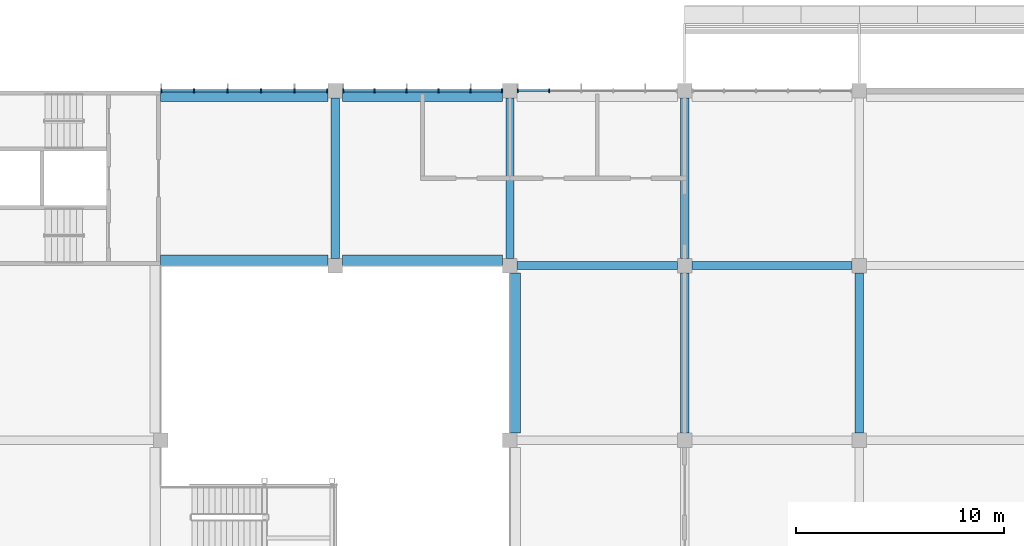
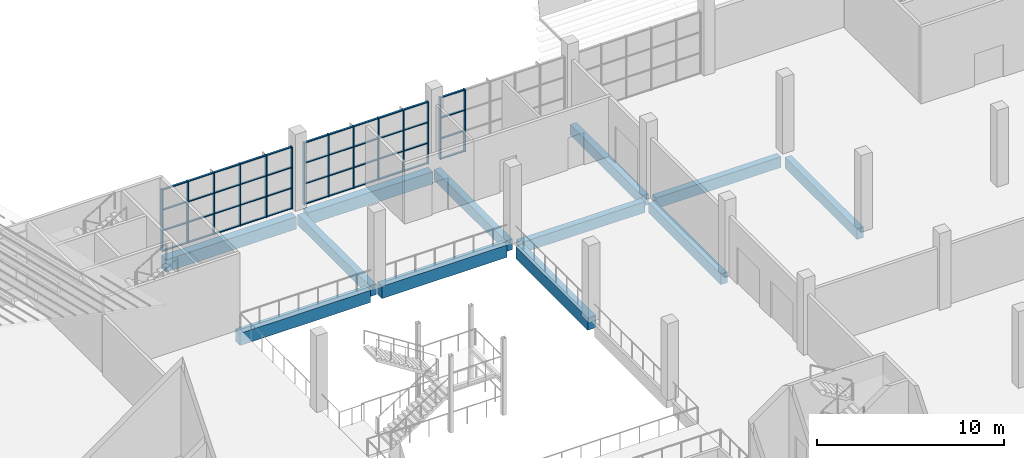
# One storey, part 9 of 82: 58 members, 12 beams, 3 elements without a shape of their own.
"""IFC4 building model written with IfcOpenShell, lengths in metres."""

from ifc_helpers import new_model, si_unit, direction, frame, origin, origin_2d, place, context, subcontext, project, spatial, rectangle, extrude, material, material_profile, profile_set, type_object, element, aggregate, save


model = new_model("IFC4")

# Units and contexts
model_context = context("Model", 3, precision=1e-05, world=origin(), true_north=direction((0.0, 1.0)))
body_context = subcontext(model_context, "Body", "Model", "MODEL_VIEW")
ifc_project = project(units=[si_unit("LENGTHUNIT", "METRE"), si_unit("AREAUNIT", "SQUARE_METRE"), si_unit("VOLUMEUNIT", "CUBIC_METRE"), si_unit("PLANEANGLEUNIT", "RADIAN"), si_unit("MASSUNIT", "GRAM", prefix="KILO")], contexts=[model_context])

# Site, building, storey
site_placement = place(None, origin())
site = spatial("IfcSite", under=ifc_project, at=site_placement, CompositionType="ELEMENT")
building_placement = place(site_placement, origin())
building = spatial("IfcBuilding", under=site, at=building_placement, Name="Almond Square Museum", CompositionType="ELEMENT")
storey_placement = place(building_placement, frame((0.0, 0.0, 20.0)))
storey = spatial("IfcBuildingStorey", under=building, at=storey_placement, Name="L03", CompositionType="ELEMENT", Elevation=20.0)

# Curtain wall, members
ifc_material_1 = material(Name="Aluminium and laminated glass", Category="aluminium")
curtain_wall_type = type_object("IfcCurtainWallType", Name="Unitised curtain wall 1500 module", PredefinedType="NOTDEFINED", material=ifc_material_1)
curtain_wall_1_placement = place(storey_placement, origin())
curtain_wall_1 = element("IfcCurtainWall", 1, at=curtain_wall_1_placement, inside=storey, type_object=curtain_wall_type, Name="Curtain wall CW-32", PredefinedType="NOTDEFINED")
ifc_material_2 = material(Name="Anodised aluminium", Category="aluminium")
ifc_material_profile_1 = material_profile(ifc_material_2, rectangle(XDim=0.199951171875, YDim=0.06005859375, at=origin_2d()))
ifc_profile_set_1 = profile_set([ifc_material_profile_1], Name="Anodised aluminium")
member_type_1 = type_object("IfcMemberType", Name="Aluminium mullion 60 x 200", PredefinedType="MULLION", material=ifc_profile_set_1)
member_1_placement = place(storey_placement, frame((98.780029296875, 109.199951171875, 0.0), z_axis=(0.0, 0.0, 1.0), x_axis=(0.0, 1.0, 0.0)))
member_1 = element("IfcMember", 2, at=member_1_placement, type_object=member_type_1, Name="CW-32 mullion 1", PredefinedType="MULLION", context=body_context, shape_type="SweptSolid", body=[
    extrude(rectangle(XDim=0.199951171875, YDim=0.06005859375, at=origin_2d()), origin(), (0.0, 0.0, 1.0), 4.050048828125),
])
member_2_placement = place(storey_placement, frame((100.2900390625, 109.199951171875, 0.0), z_axis=(0.0, 0.0, 1.0), x_axis=(0.0, 1.0, 0.0)))
member_2 = element("IfcMember", 3, at=member_2_placement, type_object=member_type_1, Name="CW-32 mullion 2", PredefinedType="MULLION", context=body_context, shape_type="SweptSolid", body=[
    extrude(rectangle(XDim=0.199951171875, YDim=0.06005859375, at=origin_2d()), origin(), (0.0, 0.0, 1.0), 4.050048828125),
])

curtain_wall_2_placement = place(storey_placement, origin())
curtain_wall_2 = element("IfcCurtainWall", 4, at=curtain_wall_2_placement, inside=storey, type_object=curtain_wall_type, Name="Curtain wall CW-33", PredefinedType="NOTDEFINED")
member_3_placement = place(storey_placement, frame((90.3798828125, 109.199951171875, 0.0), z_axis=(0.0, 0.0, 1.0), x_axis=(0.0, 1.0, 0.0)))
member_3 = element("IfcMember", 5, at=member_3_placement, type_object=member_type_1, Name="CW-33 mullion 1", PredefinedType="MULLION", context=body_context, shape_type="SweptSolid", body=[
    extrude(rectangle(XDim=0.199951171875, YDim=0.06005859375, at=origin_2d()), origin(), (0.0, 0.0, 1.0), 4.050048828125),
])
member_4_placement = place(storey_placement, frame((91.889892578125, 109.199951171875, 0.0), z_axis=(0.0, 0.0, 1.0), x_axis=(0.0, 1.0, 0.0)))
member_4 = element("IfcMember", 6, at=member_4_placement, type_object=member_type_1, Name="CW-33 mullion 2", PredefinedType="MULLION", context=body_context, shape_type="SweptSolid", body=[
    extrude(rectangle(XDim=0.199951171875, YDim=0.06005859375, at=origin_2d()), origin(), (0.0, 0.0, 1.0), 4.050048828125),
])
member_5_placement = place(storey_placement, frame((93.429931640625, 109.199951171875, 0.0), z_axis=(0.0, 0.0, 1.0), x_axis=(0.0, 1.0, 0.0)))
member_5 = element("IfcMember", 7, at=member_5_placement, type_object=member_type_1, Name="CW-33 mullion 3", PredefinedType="MULLION", context=body_context, shape_type="SweptSolid", body=[
    extrude(rectangle(XDim=0.199951171875, YDim=0.06005859375, at=origin_2d()), origin(), (0.0, 0.0, 1.0), 4.050048828125),
])
member_6_placement = place(storey_placement, frame((94.969970703125, 109.199951171875, 0.0), z_axis=(0.0, 0.0, 1.0), x_axis=(0.0, 1.0, 0.0)))
member_6 = element("IfcMember", 8, at=member_6_placement, type_object=member_type_1, Name="CW-33 mullion 4", PredefinedType="MULLION", context=body_context, shape_type="SweptSolid", body=[
    extrude(rectangle(XDim=0.199951171875, YDim=0.06005859375, at=origin_2d()), origin(), (0.0, 0.0, 1.0), 4.050048828125),
])
member_7_placement = place(storey_placement, frame((96.510009765625, 109.199951171875, 0.0), z_axis=(0.0, 0.0, 1.0), x_axis=(0.0, 1.0, 0.0)))
member_7 = element("IfcMember", 9, at=member_7_placement, type_object=member_type_1, Name="CW-33 mullion 5", PredefinedType="MULLION", context=body_context, shape_type="SweptSolid", body=[
    extrude(rectangle(XDim=0.199951171875, YDim=0.06005859375, at=origin_2d()), origin(), (0.0, 0.0, 1.0), 4.050048828125),
])
member_8_placement = place(storey_placement, frame((98.02001953125, 109.199951171875, 0.0), z_axis=(0.0, 0.0, 1.0), x_axis=(0.0, 1.0, 0.0)))
member_8 = element("IfcMember", 10, at=member_8_placement, type_object=member_type_1, Name="CW-33 mullion 6", PredefinedType="MULLION", context=body_context, shape_type="SweptSolid", body=[
    extrude(rectangle(XDim=0.199951171875, YDim=0.06005859375, at=origin_2d()), origin(), (0.0, 0.0, 1.0), 4.050048828125),
])

curtain_wall_3_placement = place(storey_placement, origin())
curtain_wall_3 = element("IfcCurtainWall", 11, at=curtain_wall_3_placement, inside=storey, type_object=curtain_wall_type, Name="Curtain wall CW-34", PredefinedType="NOTDEFINED")
member_9_placement = place(storey_placement, frame((81.6298828125, 109.199951171875, 0.0), z_axis=(0.0, 0.0, 1.0), x_axis=(0.0, 1.0, 0.0)))
member_9 = element("IfcMember", 12, at=member_9_placement, type_object=member_type_1, Name="CW-34 mullion 1", PredefinedType="MULLION", context=body_context, shape_type="SweptSolid", body=[
    extrude(rectangle(XDim=0.199951171875, YDim=0.06005859375, at=origin_2d()), origin(), (0.0, 0.0, 1.0), 4.050048828125),
])
member_10_placement = place(storey_placement, frame((83.2099609375, 109.199951171875, 0.0), z_axis=(0.0, 0.0, 1.0), x_axis=(0.0, 1.0, 0.0)))
member_10 = element("IfcMember", 13, at=member_10_placement, type_object=member_type_1, Name="CW-34 mullion 2", PredefinedType="MULLION", context=body_context, shape_type="SweptSolid", body=[
    extrude(rectangle(XDim=0.199951171875, YDim=0.06005859375, at=origin_2d()), origin(), (0.0, 0.0, 1.0), 4.050048828125),
])
member_11_placement = place(storey_placement, frame((84.820068359375, 109.199951171875, 0.0), z_axis=(0.0, 0.0, 1.0), x_axis=(0.0, 1.0, 0.0)))
member_11 = element("IfcMember", 14, at=member_11_placement, type_object=member_type_1, Name="CW-34 mullion 3", PredefinedType="MULLION", context=body_context, shape_type="SweptSolid", body=[
    extrude(rectangle(XDim=0.199951171875, YDim=0.06005859375, at=origin_2d()), origin(), (0.0, 0.0, 1.0), 4.050048828125),
])
member_12_placement = place(storey_placement, frame((86.429931640625, 109.199951171875, 0.0), z_axis=(0.0, 0.0, 1.0), x_axis=(0.0, 1.0, 0.0)))
member_12 = element("IfcMember", 15, at=member_12_placement, type_object=member_type_1, Name="CW-34 mullion 4", PredefinedType="MULLION", context=body_context, shape_type="SweptSolid", body=[
    extrude(rectangle(XDim=0.199951171875, YDim=0.06005859375, at=origin_2d()), origin(), (0.0, 0.0, 1.0), 4.050048828125),
])
member_13_placement = place(storey_placement, frame((88.0400390625, 109.199951171875, 0.0), z_axis=(0.0, 0.0, 1.0), x_axis=(0.0, 1.0, 0.0)))
member_13 = element("IfcMember", 16, at=member_13_placement, type_object=member_type_1, Name="CW-34 mullion 5", PredefinedType="MULLION", context=body_context, shape_type="SweptSolid", body=[
    extrude(rectangle(XDim=0.199951171875, YDim=0.06005859375, at=origin_2d()), origin(), (0.0, 0.0, 1.0), 4.050048828125),
])
member_14_placement = place(storey_placement, frame((89.6201171875, 109.199951171875, 0.0), z_axis=(0.0, 0.0, 1.0), x_axis=(0.0, 1.0, 0.0)))
member_14 = element("IfcMember", 17, at=member_14_placement, type_object=member_type_1, Name="CW-34 mullion 6", PredefinedType="MULLION", context=body_context, shape_type="SweptSolid", body=[
    extrude(rectangle(XDim=0.199951171875, YDim=0.06005859375, at=origin_2d()), origin(), (0.0, 0.0, 1.0), 4.050048828125),
])

# Member
ifc_material_3 = material(Name="Anodised aluminium", Category="aluminium")
ifc_material_profile_2 = material_profile(ifc_material_3, rectangle(XDim=0.1201171875, YDim=0.06005859375, at=origin_2d()))
ifc_profile_set_2 = profile_set([ifc_material_profile_2], Name="Anodised aluminium")
member_type_2 = type_object("IfcMemberType", Name="Aluminium transom 60 x 120", PredefinedType="USERDEFINED", material=ifc_profile_set_2)
member_15_placement = place(storey_placement, frame((98.81005859375, 109.199951171875, 0.030029296875), z_axis=(1.0, 0.0, 0.0), x_axis=(0.0, 1.0, 0.0)))
member_15 = element("IfcMember", 18, at=member_15_placement, type_object=member_type_2, Name="CW-32 transom 1.1", ObjectType="TRANSOM", PredefinedType="USERDEFINED", context=body_context, shape_type="SweptSolid", body=[
    extrude(rectangle(XDim=0.1201171875, YDim=0.06005859375, at=origin_2d()), origin(), (0.0, 0.0, 1.0), 1.449951171875),
])

member_16_placement = place(storey_placement, frame((98.81005859375, 109.199951171875, 1.35009765625), z_axis=(1.0, 0.0, 0.0), x_axis=(0.0, 1.0, 0.0)))
member_16 = element("IfcMember", 19, at=member_16_placement, type_object=member_type_2, Name="CW-32 transom 1.2", ObjectType="TRANSOM", PredefinedType="USERDEFINED", context=body_context, shape_type="SweptSolid", body=[
    extrude(rectangle(XDim=0.1201171875, YDim=0.06005859375, at=origin_2d()), origin(), (0.0, 0.0, 1.0), 1.449951171875),
])

member_17_placement = place(storey_placement, frame((98.81005859375, 109.199951171875, 2.699951171875), z_axis=(1.0, 0.0, 0.0), x_axis=(0.0, 1.0, 0.0)))
member_17 = element("IfcMember", 20, at=member_17_placement, type_object=member_type_2, Name="CW-32 transom 1.3", ObjectType="TRANSOM", PredefinedType="USERDEFINED", context=body_context, shape_type="SweptSolid", body=[
    extrude(rectangle(XDim=0.1201171875, YDim=0.06005859375, at=origin_2d()), origin(), (0.0, 0.0, 1.0), 1.449951171875),
])

member_18_placement = place(storey_placement, frame((98.81005859375, 109.199951171875, 4.02001953125), z_axis=(1.0, 0.0, 0.0), x_axis=(0.0, 1.0, 0.0)))
member_18 = element("IfcMember", 21, at=member_18_placement, type_object=member_type_2, Name="CW-32 transom 1.4", ObjectType="TRANSOM", PredefinedType="USERDEFINED", context=body_context, shape_type="SweptSolid", body=[
    extrude(rectangle(XDim=0.1201171875, YDim=0.06005859375, at=origin_2d()), origin(), (0.0, 0.0, 1.0), 1.449951171875),
])

aggregate(curtain_wall_1, [member_1, member_2, member_15, member_16, member_17, member_18])

member_19_placement = place(storey_placement, frame((90.409912109375, 109.199951171875, 0.030029296875), z_axis=(1.0, 0.0, 0.0), x_axis=(0.0, 1.0, 0.0)))
member_19 = element("IfcMember", 22, at=member_19_placement, type_object=member_type_2, Name="CW-33 transom 1.1", ObjectType="TRANSOM", PredefinedType="USERDEFINED", context=body_context, shape_type="SweptSolid", body=[
    extrude(rectangle(XDim=0.1201171875, YDim=0.06005859375, at=origin_2d()), origin(), (0.0, 0.0, 1.0), 1.4501953125),
])

member_20_placement = place(storey_placement, frame((90.409912109375, 109.199951171875, 1.35009765625), z_axis=(1.0, 0.0, 0.0), x_axis=(0.0, 1.0, 0.0)))
member_20 = element("IfcMember", 23, at=member_20_placement, type_object=member_type_2, Name="CW-33 transom 1.2", ObjectType="TRANSOM", PredefinedType="USERDEFINED", context=body_context, shape_type="SweptSolid", body=[
    extrude(rectangle(XDim=0.1201171875, YDim=0.06005859375, at=origin_2d()), origin(), (0.0, 0.0, 1.0), 1.4501953125),
])

member_21_placement = place(storey_placement, frame((90.409912109375, 109.199951171875, 2.699951171875), z_axis=(1.0, 0.0, 0.0), x_axis=(0.0, 1.0, 0.0)))
member_21 = element("IfcMember", 24, at=member_21_placement, type_object=member_type_2, Name="CW-33 transom 1.3", ObjectType="TRANSOM", PredefinedType="USERDEFINED", context=body_context, shape_type="SweptSolid", body=[
    extrude(rectangle(XDim=0.1201171875, YDim=0.06005859375, at=origin_2d()), origin(), (0.0, 0.0, 1.0), 1.4501953125),
])

member_22_placement = place(storey_placement, frame((90.409912109375, 109.199951171875, 4.02001953125), z_axis=(1.0, 0.0, 0.0), x_axis=(0.0, 1.0, 0.0)))
member_22 = element("IfcMember", 25, at=member_22_placement, type_object=member_type_2, Name="CW-33 transom 1.4", ObjectType="TRANSOM", PredefinedType="USERDEFINED", context=body_context, shape_type="SweptSolid", body=[
    extrude(rectangle(XDim=0.1201171875, YDim=0.06005859375, at=origin_2d()), origin(), (0.0, 0.0, 1.0), 1.4501953125),
])

member_23_placement = place(storey_placement, frame((91.919921875, 109.199951171875, 0.030029296875), z_axis=(1.0, 0.0, 0.0), x_axis=(0.0, 1.0, 0.0)))
member_23 = element("IfcMember", 26, at=member_23_placement, type_object=member_type_2, Name="CW-33 transom 2.1", ObjectType="TRANSOM", PredefinedType="USERDEFINED", context=body_context, shape_type="SweptSolid", body=[
    extrude(rectangle(XDim=0.1201171875, YDim=0.06005859375, at=origin_2d()), origin(), (0.0, 0.0, 1.0), 1.47998046875),
])

member_24_placement = place(storey_placement, frame((91.919921875, 109.199951171875, 1.35009765625), z_axis=(1.0, 0.0, 0.0), x_axis=(0.0, 1.0, 0.0)))
member_24 = element("IfcMember", 27, at=member_24_placement, type_object=member_type_2, Name="CW-33 transom 2.2", ObjectType="TRANSOM", PredefinedType="USERDEFINED", context=body_context, shape_type="SweptSolid", body=[
    extrude(rectangle(XDim=0.1201171875, YDim=0.06005859375, at=origin_2d()), origin(), (0.0, 0.0, 1.0), 1.47998046875),
])

member_25_placement = place(storey_placement, frame((91.919921875, 109.199951171875, 2.699951171875), z_axis=(1.0, 0.0, 0.0), x_axis=(0.0, 1.0, 0.0)))
member_25 = element("IfcMember", 28, at=member_25_placement, type_object=member_type_2, Name="CW-33 transom 2.3", ObjectType="TRANSOM", PredefinedType="USERDEFINED", context=body_context, shape_type="SweptSolid", body=[
    extrude(rectangle(XDim=0.1201171875, YDim=0.06005859375, at=origin_2d()), origin(), (0.0, 0.0, 1.0), 1.47998046875),
])

member_26_placement = place(storey_placement, frame((91.919921875, 109.199951171875, 4.02001953125), z_axis=(1.0, 0.0, 0.0), x_axis=(0.0, 1.0, 0.0)))
member_26 = element("IfcMember", 29, at=member_26_placement, type_object=member_type_2, Name="CW-33 transom 2.4", ObjectType="TRANSOM", PredefinedType="USERDEFINED", context=body_context, shape_type="SweptSolid", body=[
    extrude(rectangle(XDim=0.1201171875, YDim=0.06005859375, at=origin_2d()), origin(), (0.0, 0.0, 1.0), 1.47998046875),
])

member_27_placement = place(storey_placement, frame((93.4599609375, 109.199951171875, 0.030029296875), z_axis=(1.0, 0.0, 0.0), x_axis=(0.0, 1.0, 0.0)))
member_27 = element("IfcMember", 30, at=member_27_placement, type_object=member_type_2, Name="CW-33 transom 3.1", ObjectType="TRANSOM", PredefinedType="USERDEFINED", context=body_context, shape_type="SweptSolid", body=[
    extrude(rectangle(XDim=0.1201171875, YDim=0.06005859375, at=origin_2d()), origin(), (0.0, 0.0, 1.0), 1.47998046875),
])

member_28_placement = place(storey_placement, frame((93.4599609375, 109.199951171875, 1.35009765625), z_axis=(1.0, 0.0, 0.0), x_axis=(0.0, 1.0, 0.0)))
member_28 = element("IfcMember", 31, at=member_28_placement, type_object=member_type_2, Name="CW-33 transom 3.2", ObjectType="TRANSOM", PredefinedType="USERDEFINED", context=body_context, shape_type="SweptSolid", body=[
    extrude(rectangle(XDim=0.1201171875, YDim=0.06005859375, at=origin_2d()), origin(), (0.0, 0.0, 1.0), 1.47998046875),
])

member_29_placement = place(storey_placement, frame((93.4599609375, 109.199951171875, 2.699951171875), z_axis=(1.0, 0.0, 0.0), x_axis=(0.0, 1.0, 0.0)))
member_29 = element("IfcMember", 32, at=member_29_placement, type_object=member_type_2, Name="CW-33 transom 3.3", ObjectType="TRANSOM", PredefinedType="USERDEFINED", context=body_context, shape_type="SweptSolid", body=[
    extrude(rectangle(XDim=0.1201171875, YDim=0.06005859375, at=origin_2d()), origin(), (0.0, 0.0, 1.0), 1.47998046875),
])

member_30_placement = place(storey_placement, frame((93.4599609375, 109.199951171875, 4.02001953125), z_axis=(1.0, 0.0, 0.0), x_axis=(0.0, 1.0, 0.0)))
member_30 = element("IfcMember", 33, at=member_30_placement, type_object=member_type_2, Name="CW-33 transom 3.4", ObjectType="TRANSOM", PredefinedType="USERDEFINED", context=body_context, shape_type="SweptSolid", body=[
    extrude(rectangle(XDim=0.1201171875, YDim=0.06005859375, at=origin_2d()), origin(), (0.0, 0.0, 1.0), 1.47998046875),
])

member_31_placement = place(storey_placement, frame((95.0, 109.199951171875, 0.030029296875), z_axis=(1.0, 0.0, 0.0), x_axis=(0.0, 1.0, 0.0)))
member_31 = element("IfcMember", 34, at=member_31_placement, type_object=member_type_2, Name="CW-33 transom 4.1", ObjectType="TRANSOM", PredefinedType="USERDEFINED", context=body_context, shape_type="SweptSolid", body=[
    extrude(rectangle(XDim=0.1201171875, YDim=0.06005859375, at=origin_2d()), origin(), (0.0, 0.0, 1.0), 1.47998046875),
])

member_32_placement = place(storey_placement, frame((95.0, 109.199951171875, 1.35009765625), z_axis=(1.0, 0.0, 0.0), x_axis=(0.0, 1.0, 0.0)))
member_32 = element("IfcMember", 35, at=member_32_placement, type_object=member_type_2, Name="CW-33 transom 4.2", ObjectType="TRANSOM", PredefinedType="USERDEFINED", context=body_context, shape_type="SweptSolid", body=[
    extrude(rectangle(XDim=0.1201171875, YDim=0.06005859375, at=origin_2d()), origin(), (0.0, 0.0, 1.0), 1.47998046875),
])

member_33_placement = place(storey_placement, frame((95.0, 109.199951171875, 2.699951171875), z_axis=(1.0, 0.0, 0.0), x_axis=(0.0, 1.0, 0.0)))
member_33 = element("IfcMember", 36, at=member_33_placement, type_object=member_type_2, Name="CW-33 transom 4.3", ObjectType="TRANSOM", PredefinedType="USERDEFINED", context=body_context, shape_type="SweptSolid", body=[
    extrude(rectangle(XDim=0.1201171875, YDim=0.06005859375, at=origin_2d()), origin(), (0.0, 0.0, 1.0), 1.47998046875),
])

member_34_placement = place(storey_placement, frame((95.0, 109.199951171875, 4.02001953125), z_axis=(1.0, 0.0, 0.0), x_axis=(0.0, 1.0, 0.0)))
member_34 = element("IfcMember", 37, at=member_34_placement, type_object=member_type_2, Name="CW-33 transom 4.4", ObjectType="TRANSOM", PredefinedType="USERDEFINED", context=body_context, shape_type="SweptSolid", body=[
    extrude(rectangle(XDim=0.1201171875, YDim=0.06005859375, at=origin_2d()), origin(), (0.0, 0.0, 1.0), 1.47998046875),
])

member_35_placement = place(storey_placement, frame((96.5400390625, 109.199951171875, 0.030029296875), z_axis=(1.0, 0.0, 0.0), x_axis=(0.0, 1.0, 0.0)))
member_35 = element("IfcMember", 38, at=member_35_placement, type_object=member_type_2, Name="CW-33 transom 5.1", ObjectType="TRANSOM", PredefinedType="USERDEFINED", context=body_context, shape_type="SweptSolid", body=[
    extrude(rectangle(XDim=0.1201171875, YDim=0.06005859375, at=origin_2d()), origin(), (0.0, 0.0, 1.0), 1.449951171875),
])

member_36_placement = place(storey_placement, frame((96.5400390625, 109.199951171875, 1.35009765625), z_axis=(1.0, 0.0, 0.0), x_axis=(0.0, 1.0, 0.0)))
member_36 = element("IfcMember", 39, at=member_36_placement, type_object=member_type_2, Name="CW-33 transom 5.2", ObjectType="TRANSOM", PredefinedType="USERDEFINED", context=body_context, shape_type="SweptSolid", body=[
    extrude(rectangle(XDim=0.1201171875, YDim=0.06005859375, at=origin_2d()), origin(), (0.0, 0.0, 1.0), 1.449951171875),
])

member_37_placement = place(storey_placement, frame((96.5400390625, 109.199951171875, 2.699951171875), z_axis=(1.0, 0.0, 0.0), x_axis=(0.0, 1.0, 0.0)))
member_37 = element("IfcMember", 40, at=member_37_placement, type_object=member_type_2, Name="CW-33 transom 5.3", ObjectType="TRANSOM", PredefinedType="USERDEFINED", context=body_context, shape_type="SweptSolid", body=[
    extrude(rectangle(XDim=0.1201171875, YDim=0.06005859375, at=origin_2d()), origin(), (0.0, 0.0, 1.0), 1.449951171875),
])

member_38_placement = place(storey_placement, frame((96.5400390625, 109.199951171875, 4.02001953125), z_axis=(1.0, 0.0, 0.0), x_axis=(0.0, 1.0, 0.0)))
member_38 = element("IfcMember", 41, at=member_38_placement, type_object=member_type_2, Name="CW-33 transom 5.4", ObjectType="TRANSOM", PredefinedType="USERDEFINED", context=body_context, shape_type="SweptSolid", body=[
    extrude(rectangle(XDim=0.1201171875, YDim=0.06005859375, at=origin_2d()), origin(), (0.0, 0.0, 1.0), 1.449951171875),
])

aggregate(curtain_wall_2, [member_3, member_4, member_5, member_6, member_7, member_8, member_19, member_20, member_21, member_22, member_23, member_24, member_25, member_26, member_27, member_28, member_29, member_30, member_31, member_32, member_33, member_34, member_35, member_36, member_37, member_38])

member_39_placement = place(storey_placement, frame((81.659912109375, 109.199951171875, 0.030029296875), z_axis=(1.0, 0.0, 0.0), x_axis=(0.0, 1.0, 0.0)))
member_39 = element("IfcMember", 42, at=member_39_placement, type_object=member_type_2, Name="CW-34 transom 1.1", ObjectType="TRANSOM", PredefinedType="USERDEFINED", context=body_context, shape_type="SweptSolid", body=[
    extrude(rectangle(XDim=0.1201171875, YDim=0.06005859375, at=origin_2d()), origin(), (0.0, 0.0, 1.0), 1.52001953125),
])

member_40_placement = place(storey_placement, frame((81.659912109375, 109.199951171875, 1.35009765625), z_axis=(1.0, 0.0, 0.0), x_axis=(0.0, 1.0, 0.0)))
member_40 = element("IfcMember", 43, at=member_40_placement, type_object=member_type_2, Name="CW-34 transom 1.2", ObjectType="TRANSOM", PredefinedType="USERDEFINED", context=body_context, shape_type="SweptSolid", body=[
    extrude(rectangle(XDim=0.1201171875, YDim=0.06005859375, at=origin_2d()), origin(), (0.0, 0.0, 1.0), 1.52001953125),
])

member_41_placement = place(storey_placement, frame((81.659912109375, 109.199951171875, 2.699951171875), z_axis=(1.0, 0.0, 0.0), x_axis=(0.0, 1.0, 0.0)))
member_41 = element("IfcMember", 44, at=member_41_placement, type_object=member_type_2, Name="CW-34 transom 1.3", ObjectType="TRANSOM", PredefinedType="USERDEFINED", context=body_context, shape_type="SweptSolid", body=[
    extrude(rectangle(XDim=0.1201171875, YDim=0.06005859375, at=origin_2d()), origin(), (0.0, 0.0, 1.0), 1.52001953125),
])

member_42_placement = place(storey_placement, frame((81.659912109375, 109.199951171875, 4.02001953125), z_axis=(1.0, 0.0, 0.0), x_axis=(0.0, 1.0, 0.0)))
member_42 = element("IfcMember", 45, at=member_42_placement, type_object=member_type_2, Name="CW-34 transom 1.4", ObjectType="TRANSOM", PredefinedType="USERDEFINED", context=body_context, shape_type="SweptSolid", body=[
    extrude(rectangle(XDim=0.1201171875, YDim=0.06005859375, at=origin_2d()), origin(), (0.0, 0.0, 1.0), 1.52001953125),
])

member_43_placement = place(storey_placement, frame((83.239990234375, 109.199951171875, 0.030029296875), z_axis=(1.0, 0.0, 0.0), x_axis=(0.0, 1.0, 0.0)))
member_43 = element("IfcMember", 46, at=member_43_placement, type_object=member_type_2, Name="CW-34 transom 2.1", ObjectType="TRANSOM", PredefinedType="USERDEFINED", context=body_context, shape_type="SweptSolid", body=[
    extrude(rectangle(XDim=0.1201171875, YDim=0.06005859375, at=origin_2d()), origin(), (0.0, 0.0, 1.0), 1.550048828125),
])

member_44_placement = place(storey_placement, frame((83.239990234375, 109.199951171875, 1.35009765625), z_axis=(1.0, 0.0, 0.0), x_axis=(0.0, 1.0, 0.0)))
member_44 = element("IfcMember", 47, at=member_44_placement, type_object=member_type_2, Name="CW-34 transom 2.2", ObjectType="TRANSOM", PredefinedType="USERDEFINED", context=body_context, shape_type="SweptSolid", body=[
    extrude(rectangle(XDim=0.1201171875, YDim=0.06005859375, at=origin_2d()), origin(), (0.0, 0.0, 1.0), 1.550048828125),
])

member_45_placement = place(storey_placement, frame((83.239990234375, 109.199951171875, 2.699951171875), z_axis=(1.0, 0.0, 0.0), x_axis=(0.0, 1.0, 0.0)))
member_45 = element("IfcMember", 48, at=member_45_placement, type_object=member_type_2, Name="CW-34 transom 2.3", ObjectType="TRANSOM", PredefinedType="USERDEFINED", context=body_context, shape_type="SweptSolid", body=[
    extrude(rectangle(XDim=0.1201171875, YDim=0.06005859375, at=origin_2d()), origin(), (0.0, 0.0, 1.0), 1.550048828125),
])

member_46_placement = place(storey_placement, frame((83.239990234375, 109.199951171875, 4.02001953125), z_axis=(1.0, 0.0, 0.0), x_axis=(0.0, 1.0, 0.0)))
member_46 = element("IfcMember", 49, at=member_46_placement, type_object=member_type_2, Name="CW-34 transom 2.4", ObjectType="TRANSOM", PredefinedType="USERDEFINED", context=body_context, shape_type="SweptSolid", body=[
    extrude(rectangle(XDim=0.1201171875, YDim=0.06005859375, at=origin_2d()), origin(), (0.0, 0.0, 1.0), 1.550048828125),
])

member_47_placement = place(storey_placement, frame((84.85009765625, 109.199951171875, 0.030029296875), z_axis=(1.0, 0.0, 0.0), x_axis=(0.0, 1.0, 0.0)))
member_47 = element("IfcMember", 50, at=member_47_placement, type_object=member_type_2, Name="CW-34 transom 3.1", ObjectType="TRANSOM", PredefinedType="USERDEFINED", context=body_context, shape_type="SweptSolid", body=[
    extrude(rectangle(XDim=0.1201171875, YDim=0.06005859375, at=origin_2d()), origin(), (0.0, 0.0, 1.0), 1.5498046875),
])

member_48_placement = place(storey_placement, frame((84.85009765625, 109.199951171875, 1.35009765625), z_axis=(1.0, 0.0, 0.0), x_axis=(0.0, 1.0, 0.0)))
member_48 = element("IfcMember", 51, at=member_48_placement, type_object=member_type_2, Name="CW-34 transom 3.2", ObjectType="TRANSOM", PredefinedType="USERDEFINED", context=body_context, shape_type="SweptSolid", body=[
    extrude(rectangle(XDim=0.1201171875, YDim=0.06005859375, at=origin_2d()), origin(), (0.0, 0.0, 1.0), 1.5498046875),
])

member_49_placement = place(storey_placement, frame((84.85009765625, 109.199951171875, 2.699951171875), z_axis=(1.0, 0.0, 0.0), x_axis=(0.0, 1.0, 0.0)))
member_49 = element("IfcMember", 52, at=member_49_placement, type_object=member_type_2, Name="CW-34 transom 3.3", ObjectType="TRANSOM", PredefinedType="USERDEFINED", context=body_context, shape_type="SweptSolid", body=[
    extrude(rectangle(XDim=0.1201171875, YDim=0.06005859375, at=origin_2d()), origin(), (0.0, 0.0, 1.0), 1.5498046875),
])

member_50_placement = place(storey_placement, frame((84.85009765625, 109.199951171875, 4.02001953125), z_axis=(1.0, 0.0, 0.0), x_axis=(0.0, 1.0, 0.0)))
member_50 = element("IfcMember", 53, at=member_50_placement, type_object=member_type_2, Name="CW-34 transom 3.4", ObjectType="TRANSOM", PredefinedType="USERDEFINED", context=body_context, shape_type="SweptSolid", body=[
    extrude(rectangle(XDim=0.1201171875, YDim=0.06005859375, at=origin_2d()), origin(), (0.0, 0.0, 1.0), 1.5498046875),
])

member_51_placement = place(storey_placement, frame((86.4599609375, 109.199951171875, 0.030029296875), z_axis=(1.0, 0.0, 0.0), x_axis=(0.0, 1.0, 0.0)))
member_51 = element("IfcMember", 54, at=member_51_placement, type_object=member_type_2, Name="CW-34 transom 4.1", ObjectType="TRANSOM", PredefinedType="USERDEFINED", context=body_context, shape_type="SweptSolid", body=[
    extrude(rectangle(XDim=0.1201171875, YDim=0.06005859375, at=origin_2d()), origin(), (0.0, 0.0, 1.0), 1.550048828125),
])

member_52_placement = place(storey_placement, frame((86.4599609375, 109.199951171875, 1.35009765625), z_axis=(1.0, 0.0, 0.0), x_axis=(0.0, 1.0, 0.0)))
member_52 = element("IfcMember", 55, at=member_52_placement, type_object=member_type_2, Name="CW-34 transom 4.2", ObjectType="TRANSOM", PredefinedType="USERDEFINED", context=body_context, shape_type="SweptSolid", body=[
    extrude(rectangle(XDim=0.1201171875, YDim=0.06005859375, at=origin_2d()), origin(), (0.0, 0.0, 1.0), 1.550048828125),
])

member_53_placement = place(storey_placement, frame((86.4599609375, 109.199951171875, 2.699951171875), z_axis=(1.0, 0.0, 0.0), x_axis=(0.0, 1.0, 0.0)))
member_53 = element("IfcMember", 56, at=member_53_placement, type_object=member_type_2, Name="CW-34 transom 4.3", ObjectType="TRANSOM", PredefinedType="USERDEFINED", context=body_context, shape_type="SweptSolid", body=[
    extrude(rectangle(XDim=0.1201171875, YDim=0.06005859375, at=origin_2d()), origin(), (0.0, 0.0, 1.0), 1.550048828125),
])

member_54_placement = place(storey_placement, frame((86.4599609375, 109.199951171875, 4.02001953125), z_axis=(1.0, 0.0, 0.0), x_axis=(0.0, 1.0, 0.0)))
member_54 = element("IfcMember", 57, at=member_54_placement, type_object=member_type_2, Name="CW-34 transom 4.4", ObjectType="TRANSOM", PredefinedType="USERDEFINED", context=body_context, shape_type="SweptSolid", body=[
    extrude(rectangle(XDim=0.1201171875, YDim=0.06005859375, at=origin_2d()), origin(), (0.0, 0.0, 1.0), 1.550048828125),
])

member_55_placement = place(storey_placement, frame((88.070068359375, 109.199951171875, 0.030029296875), z_axis=(1.0, 0.0, 0.0), x_axis=(0.0, 1.0, 0.0)))
member_55 = element("IfcMember", 58, at=member_55_placement, type_object=member_type_2, Name="CW-34 transom 5.1", ObjectType="TRANSOM", PredefinedType="USERDEFINED", context=body_context, shape_type="SweptSolid", body=[
    extrude(rectangle(XDim=0.1201171875, YDim=0.06005859375, at=origin_2d()), origin(), (0.0, 0.0, 1.0), 1.52001953125),
])

member_56_placement = place(storey_placement, frame((88.070068359375, 109.199951171875, 1.35009765625), z_axis=(1.0, 0.0, 0.0), x_axis=(0.0, 1.0, 0.0)))
member_56 = element("IfcMember", 59, at=member_56_placement, type_object=member_type_2, Name="CW-34 transom 5.2", ObjectType="TRANSOM", PredefinedType="USERDEFINED", context=body_context, shape_type="SweptSolid", body=[
    extrude(rectangle(XDim=0.1201171875, YDim=0.06005859375, at=origin_2d()), origin(), (0.0, 0.0, 1.0), 1.52001953125),
])

member_57_placement = place(storey_placement, frame((88.070068359375, 109.199951171875, 2.699951171875), z_axis=(1.0, 0.0, 0.0), x_axis=(0.0, 1.0, 0.0)))
member_57 = element("IfcMember", 60, at=member_57_placement, type_object=member_type_2, Name="CW-34 transom 5.3", ObjectType="TRANSOM", PredefinedType="USERDEFINED", context=body_context, shape_type="SweptSolid", body=[
    extrude(rectangle(XDim=0.1201171875, YDim=0.06005859375, at=origin_2d()), origin(), (0.0, 0.0, 1.0), 1.52001953125),
])

member_58_placement = place(storey_placement, frame((88.070068359375, 109.199951171875, 4.02001953125), z_axis=(1.0, 0.0, 0.0), x_axis=(0.0, 1.0, 0.0)))
member_58 = element("IfcMember", 61, at=member_58_placement, type_object=member_type_2, Name="CW-34 transom 5.4", ObjectType="TRANSOM", PredefinedType="USERDEFINED", context=body_context, shape_type="SweptSolid", body=[
    extrude(rectangle(XDim=0.1201171875, YDim=0.06005859375, at=origin_2d()), origin(), (0.0, 0.0, 1.0), 1.52001953125),
])

aggregate(curtain_wall_3, [member_9, member_10, member_11, member_12, member_13, member_14, member_39, member_40, member_41, member_42, member_43, member_44, member_45, member_46, member_47, member_48, member_49, member_50, member_51, member_52, member_53, member_54, member_55, member_56, member_57, member_58])

# Beams
ifc_material_4 = material(Name="Concrete C40/50", Category="concrete")
ifc_material_profile_3 = material_profile(ifc_material_4, rectangle(XDim=0.39990234375, YDim=0.699951171875, at=origin_2d()))
ifc_profile_set_3 = profile_set([ifc_material_profile_3], Name="Concrete C40/50")
beam_type_1 = type_object("IfcBeamType", Name="RC beam 400 x 700 C40/50", PredefinedType="BEAM", material=ifc_profile_set_3)
beam_1_placement = place(storey_placement, frame((98.75, 100.800048828125, -0.60009765625), z_axis=(1.0, 0.0, 0.0), x_axis=(0.0, 1.0, 0.0)))
element("IfcBeam", 62, at=beam_1_placement, inside=storey, type_object=beam_type_1, Name="Beam M 13-14 L03", PredefinedType="BEAM", context=body_context, shape_type="SweptSolid", body=[
    extrude(rectangle(XDim=0.39990234375, YDim=0.699951171875, at=origin_2d()), origin(), (0.0, 0.0, 1.0), 7.699951171875),
])
for number, where, z_axis, x_axis, name in (
    (63, (107.14990234375, 100.800048828125, -0.60009765625), (1.0, 0.0, 0.0), (0.0, 1.0, 0.0), "Beam M 14-15 L03"),
    (64, (90.0, 101.14990234375, -0.60009765625), (0.0, 1.0, 0.0), (-1.0, 0.0, 0.0), "Beam 12 M-N L03"),
    (65, (98.39990234375, 101.14990234375, -0.60009765625), (0.0, 1.0, 0.0), (-1.0, 0.0, 0.0), "Beam 13 M-N L03"),
):
    element("IfcBeam", number, at=place(storey_placement, frame(where, z_axis=z_axis, x_axis=x_axis)), inside=storey, type_object=beam_type_1, Name=name, PredefinedType="BEAM", context=body_context, shape_type="SweptSolid", body=[
        extrude(rectangle(XDim=0.39990234375, YDim=0.699951171875, at=origin_2d()), origin(), (0.0, 0.0, 1.0), 7.7001953125),
    ])
beam_2_placement = place(storey_placement, frame((106.800048828125, 92.75, -0.60009765625), z_axis=(0.0, 1.0, 0.0), x_axis=(-1.0, 0.0, 0.0)))
element("IfcBeam", 66, at=beam_2_placement, inside=storey, type_object=beam_type_1, Name="Beam 14 L-M L03", PredefinedType="BEAM", context=body_context, shape_type="SweptSolid", body=[
    extrude(rectangle(XDim=0.39990234375, YDim=0.699951171875, at=origin_2d()), origin(), (0.0, 0.0, 1.0), 7.699951171875),
])
beam_3_placement = place(storey_placement, frame((106.800048828125, 101.14990234375, -0.60009765625), z_axis=(0.0, 1.0, 0.0), x_axis=(-1.0, 0.0, 0.0)))
element("IfcBeam", 67, at=beam_3_placement, inside=storey, type_object=beam_type_1, Name="Beam 14 M-N L03", PredefinedType="BEAM", context=body_context, shape_type="SweptSolid", body=[
    extrude(rectangle(XDim=0.39990234375, YDim=0.699951171875, at=origin_2d()), origin(), (0.0, 0.0, 1.0), 7.7001953125),
])
beam_4_placement = place(storey_placement, frame((115.199951171875, 92.75, -0.60009765625), z_axis=(0.0, 1.0, 0.0), x_axis=(-1.0, 0.0, 0.0)))
element("IfcBeam", 68, at=beam_4_placement, inside=storey, type_object=beam_type_1, Name="Beam 15 L-M L03", PredefinedType="BEAM", context=body_context, shape_type="SweptSolid", body=[
    extrude(rectangle(XDim=0.39990234375, YDim=0.699951171875, at=origin_2d()), origin(), (0.0, 0.0, 1.0), 7.699951171875),
])
ifc_material_5 = material(Name="Concrete C40/50", Category="concrete")
ifc_material_profile_4 = material_profile(ifc_material_5, rectangle(XDim=0.5, YDim=0.800048828125, at=origin_2d()))
ifc_profile_set_4 = profile_set([ifc_material_profile_4], Name="Concrete C40/50")
beam_type_2 = type_object("IfcBeamType", Name="RC edge beam 500 x 800 C40/50", PredefinedType="BEAM", material=ifc_profile_set_4)
beam_5_placement = place(storey_placement, frame((81.60009765625, 101.050048828125, -0.64990234375), z_axis=(1.0, 0.0, 0.0), x_axis=(0.0, 1.0, 0.0)))
element("IfcBeam", 69, at=beam_5_placement, inside=storey, type_object=beam_type_2, Name="Edge beam M 11-12 L03", PredefinedType="BEAM", context=body_context, shape_type="SweptSolid", body=[
    extrude(rectangle(XDim=0.5, YDim=0.800048828125, at=origin_2d()), origin(), (0.0, 0.0, 1.0), 8.0498046875),
])
beam_6_placement = place(storey_placement, frame((90.35009765625, 101.050048828125, -0.64990234375), z_axis=(1.0, 0.0, 0.0), x_axis=(0.0, 1.0, 0.0)))
element("IfcBeam", 70, at=beam_6_placement, inside=storey, type_object=beam_type_2, Name="Edge beam M 12-13 L03", PredefinedType="BEAM", context=body_context, shape_type="SweptSolid", body=[
    extrude(rectangle(XDim=0.5, YDim=0.800048828125, at=origin_2d()), origin(), (0.0, 0.0, 1.0), 7.699951171875),
])
beam_7_placement = place(storey_placement, frame((81.60009765625, 108.949951171875, -0.64990234375), z_axis=(1.0, 0.0, 0.0), x_axis=(0.0, 1.0, 0.0)))
element("IfcBeam", 71, at=beam_7_placement, inside=storey, type_object=beam_type_2, Name="Edge beam N 11-12 L03", PredefinedType="BEAM", context=body_context, shape_type="SweptSolid", body=[
    extrude(rectangle(XDim=0.5, YDim=0.800048828125, at=origin_2d()), origin(), (0.0, 0.0, 1.0), 8.0498046875),
])
for number, where, z_axis, x_axis, name in (
    (72, (90.35009765625, 108.949951171875, -0.64990234375), (1.0, 0.0, 0.0), (0.0, 1.0, 0.0), "Edge beam N 12-13 L03"),
    (73, (98.64990234375, 92.75, -0.64990234375), (0.0, 1.0, 0.0), (-1.0, 0.0, 0.0), "Edge beam 13 L-M L03"),
):
    element("IfcBeam", number, at=place(storey_placement, frame(where, z_axis=z_axis, x_axis=x_axis)), inside=storey, type_object=beam_type_2, Name=name, PredefinedType="BEAM", context=body_context, shape_type="SweptSolid", body=[
        extrude(rectangle(XDim=0.5, YDim=0.800048828125, at=origin_2d()), origin(), (0.0, 0.0, 1.0), 7.699951171875),
    ])

save(model, "model.ifc")
